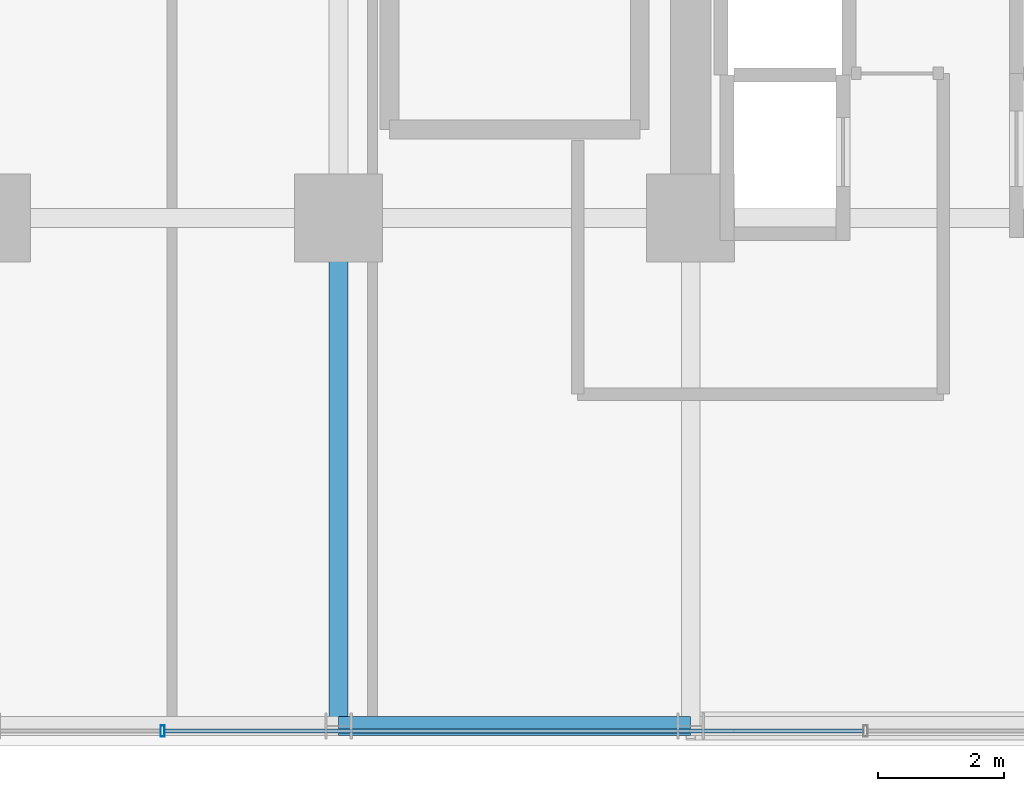
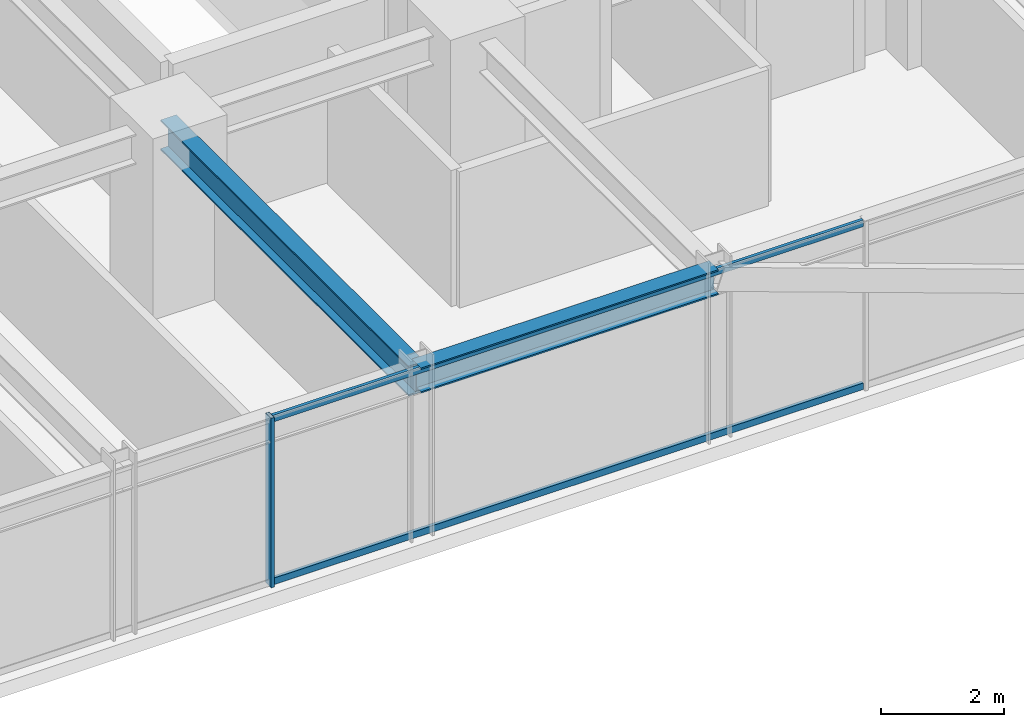
# One storey, part 8 of 35: 3 members, 2 beams, 1 element without a shape of its own.
"""IFC4 building model written with IfcOpenShell, lengths in metres."""

import ifcopenshell
import ifcopenshell.guid

model = None  # the IFC model being written
_history = None  # IfcOwnerHistory: only IFC2X3 demands one
_inside = {}  # id of a spatial element -> (the spatial element, [elements in it])
_under = {}  # id of a project, library or spatial element -> (it, [spatial elements below it])
_declared = {}  # id of a project -> (the project, [libraries it declares])
_typed = {}  # id of a type object -> (the type object, [elements of that type])
_made_of = {}  # id of a material, layer set ... -> (it, [elements and type objects made of it])


def new_model(schema):
    """Start an empty IFC model of exactly this schema.

    Asked for "IFC4X3", IfcOpenShell would pick the latest addendum, in which some entities
    have other attributes; the version numbers below select the first issue.
    IFC2X3 requires an IfcOwnerHistory on every rooted entity: one is made here for all.
    """
    global model, _history
    if schema == "IFC4X3":
        model = ifcopenshell.file(schema_version=(4, 3, 0, 0))
    else:
        model = ifcopenshell.file(schema=schema)
    _inside.clear()
    _under.clear()
    _declared.clear()
    _typed.clear()
    _made_of.clear()
    _history = None
    if model.schema == "IFC2X3":
        org = make("IfcOrganization", Name="unknown")
        user = make(
            "IfcPersonAndOrganization",
            ThePerson=make("IfcPerson", FamilyName="unknown"),
            TheOrganization=org,
        )
        app = make(
            "IfcApplication",
            ApplicationDeveloper=org,
            Version="unknown",
            ApplicationFullName="unknown",
            ApplicationIdentifier="unknown",
        )
        _history = make(
            "IfcOwnerHistory",
            OwningUser=user,
            OwningApplication=app,
            ChangeAction="ADDED",
            CreationDate=0,
        )
    return model


def make(cls, **values):
    """One entity of the class cls with the attributes given. An attribute that is None is left unset."""
    return model.create_entity(
        cls, **{name: value for name, value in values.items() if value is not None}
    )


def rooted(cls, **values):
    """An entity with a GlobalId (a new one), such as an element, a storey or a relation."""
    return make(cls, GlobalId=ifcopenshell.guid.new(), OwnerHistory=_history, **values)


def si_unit(unit_type, name, prefix=None):
    """IfcSIUnit, for example si_unit("LENGTHUNIT", "METRE", prefix="MILLI")."""
    return make("IfcSIUnit", UnitType=unit_type, Prefix=prefix, Name=name)


def assignment(units):
    """IfcUnitAssignment: the units of a project."""
    return None if units is None else make("IfcUnitAssignment", Units=units)


def point(xyz):
    """IfcCartesianPoint."""
    return None if xyz is None else make("IfcCartesianPoint", Coordinates=xyz)


def direction(xyz):
    """IfcDirection."""
    return None if xyz is None else make("IfcDirection", DirectionRatios=xyz)


def frame(location, z_axis=None, x_axis=None):
    """IfcAxis2Placement3D, a coordinate frame: its origin and axes. An axis left out is left unset."""
    return make(
        "IfcAxis2Placement3D",
        Location=point(location),
        Axis=direction(z_axis),
        RefDirection=direction(x_axis),
    )


def frame_2d(location, x_axis=None):
    """IfcAxis2Placement2D, a coordinate frame in the plane: its origin and x axis."""
    return make(
        "IfcAxis2Placement2D", Location=point(location), RefDirection=direction(x_axis)
    )


def origin():
    """The frame at (0, 0, 0) with its axes left unset."""
    return frame((0.0, 0.0, 0.0))


def origin_2d():
    """The frame at (0, 0) in the plane with its x axis left unset."""
    return frame_2d((0.0, 0.0))


def place(relative_to, where):
    """IfcLocalPlacement: puts the frame where relative to a parent placement (None: the world)."""
    return make(
        "IfcLocalPlacement", PlacementRelTo=relative_to, RelativePlacement=where
    )


def context(
    kind, dimensions, precision=None, world=None, true_north=None, identifier=None
):
    """IfcGeometricRepresentationContext, for example the 3D "Model" context."""
    return make(
        "IfcGeometricRepresentationContext",
        ContextIdentifier=identifier,
        ContextType=kind,
        CoordinateSpaceDimension=dimensions,
        Precision=precision,
        WorldCoordinateSystem=world,
        TrueNorth=true_north,
    )


def subcontext(parent, identifier, kind, view, scale=None):
    """IfcGeometricRepresentationSubContext, for example "Body" below "Model"."""
    return make(
        "IfcGeometricRepresentationSubContext",
        ContextIdentifier=identifier,
        ContextType=kind,
        ParentContext=parent,
        TargetScale=scale,
        TargetView=view,
    )


def project(units=None, contexts=None):
    """IfcProject with its units and contexts."""
    return rooted(
        "IfcProject",
        Name="project",
        RepresentationContexts=contexts,
        UnitsInContext=assignment(units),
    )


def spatial(cls, under=None, at=None, **own):
    """A site, building, storey or space (cls), placed at a placement, below another one or the project."""
    s = rooted(cls, ObjectPlacement=at, **own)
    if under is not None:
        _under.setdefault(under.id(), (under, []))[1].append(s)
    return s


def profile(cls, at=None, kind="AREA", **sizes):
    """A parametric profile (cls). Its sizes go by their IFC names, for example OverallWidth=200.0."""
    return make(cls, ProfileType=kind, Position=at, **sizes)


def hollow_rectangle(**sizes):
    """IfcRectangleHollowProfileDef."""
    return profile("IfcRectangleHollowProfileDef", **sizes)


def i_section(**sizes):
    """IfcIShapeProfileDef."""
    return profile("IfcIShapeProfileDef", **sizes)


def extrude(swept, where, along, depth):
    """IfcExtrudedAreaSolid: the profile swept, set in the frame where, extruded along a direction by depth."""
    return make(
        "IfcExtrudedAreaSolid",
        SweptArea=swept,
        Position=where,
        ExtrudedDirection=direction(along),
        Depth=depth,
    )


def shape(context_of_items, identifier, shape_type, items):
    """IfcShapeRepresentation: the items that make up one representation, for example the "Body"."""
    return make(
        "IfcShapeRepresentation",
        ContextOfItems=context_of_items,
        RepresentationIdentifier=identifier,
        RepresentationType=shape_type,
        Items=items,
    )


def source(mapping_origin, context_of_items, identifier, shape_type, items):
    """IfcRepresentationMap: a shape defined once, which mapped items show again and again."""
    return make(
        "IfcRepresentationMap",
        MappingOrigin=mapping_origin,
        MappedRepresentation=shape(context_of_items, identifier, shape_type, items),
    )


def transform(
    local_origin,
    x_axis=None,
    y_axis=None,
    z_axis=None,
    scale=None,
    scale2=None,
    scale3=None,
    uniform=True,
):
    """IfcCartesianTransformationOperator3D, or its non-uniform kind. x_axis, y_axis, z_axis: its Axis1, 2, 3."""
    if uniform:
        return make(
            "IfcCartesianTransformationOperator3D",
            Axis1=direction(x_axis),
            Axis2=direction(y_axis),
            LocalOrigin=point(local_origin),
            Scale=scale,
            Axis3=direction(z_axis),
        )
    return make(
        "IfcCartesianTransformationOperator3DnonUniform",
        Axis1=direction(x_axis),
        Axis2=direction(y_axis),
        LocalOrigin=point(local_origin),
        Scale=scale,
        Axis3=direction(z_axis),
        Scale2=scale2,
        Scale3=scale3,
    )


def mapped(mapping_source, mapping_target):
    """IfcMappedItem: shows the shape of a source again, moved by a transform."""
    return make(
        "IfcMappedItem", MappingSource=mapping_source, MappingTarget=mapping_target
    )


def material(Name=None, Category=None):
    """IfcMaterial."""
    return make("IfcMaterial", Name=Name, Category=Category)


def material_profile(
    of_material, cross_section, Name=None, Category=None, Priority=None
):
    """IfcMaterialProfile: a cross section and its material."""
    return make(
        "IfcMaterialProfile",
        Name=Name,
        Material=of_material,
        Profile=cross_section,
        Priority=Priority,
        Category=Category,
    )


def profile_set(profiles, Name=None, composite=None):
    """IfcMaterialProfileSet."""
    return make(
        "IfcMaterialProfileSet",
        Name=Name,
        MaterialProfiles=profiles,
        CompositeProfile=composite,
    )


def made_of(thing, what):
    """Note that an element or type object is made of a material, layer set ...; save() writes the relation."""
    if what is not None:
        _made_of.setdefault(what.id(), (what, []))[1].append(thing)
    return thing


def type_object(cls, material=None, **own):
    """A type object (cls), such as IfcWallType, which elements share."""
    return made_of(rooted(cls, **own), material)


def element(
    cls,
    number,
    at=None,
    inside=None,
    cuts=None,
    type_object=None,
    material=None,
    context=None,
    identifier="Body",
    shape_type=None,
    held_by="IfcProductDefinitionShape",
    body=None,
    shapes=None,
    **own,
):
    """One element of the class cls, such as IfcWall. Its Tag is "e" and its number.

    at: its placement. inside: the storey or other place that contains it. cuts: it is an
    opening in that element (IfcRelVoidsElement). A single representation is given by context,
    identifier, shape_type and body (its items); several are given by shapes. held_by: the class
    of the entity that holds the representations. save() writes the other relations.
    """
    e = rooted(cls, Tag="e%d" % number, ObjectPlacement=at, **own)
    if body is not None:
        shapes = [shape(context, identifier, shape_type, body)]
    if shapes is not None:
        e.Representation = make(held_by, Representations=shapes)
    if inside is not None:
        _inside.setdefault(inside.id(), (inside, []))[1].append(e)
    if cuts is not None:
        rooted(
            "IfcRelVoidsElement", RelatingBuildingElement=cuts, RelatedOpeningElement=e
        )
    if type_object is not None:
        _typed.setdefault(type_object.id(), (type_object, []))[1].append(e)
    return made_of(e, material)


def aggregate(whole, parts):
    """IfcRelAggregates: a whole, such as a stair, and the parts it consists of."""
    return rooted("IfcRelAggregates", RelatingObject=whole, RelatedObjects=parts)


def save(model, path):
    """Write the relations noted so far, then the file.

    IfcRelAggregates (storeys below a building ...), IfcRelContainedInSpatialStructure (elements
    in a storey), IfcRelDefinesByType, IfcRelAssociatesMaterial and IfcRelDeclares: one each for
    every whole, place, type object, material and project.
    """
    for whole, parts in _under.values():
        aggregate(whole, parts)
    for where, things in _inside.values():
        rooted(
            "IfcRelContainedInSpatialStructure",
            RelatedElements=things,
            RelatingStructure=where,
        )
    for kind, things in _typed.values():
        rooted("IfcRelDefinesByType", RelatedObjects=things, RelatingType=kind)
    for what, things in _made_of.values():
        rooted("IfcRelAssociatesMaterial", RelatedObjects=things, RelatingMaterial=what)
    for by, libraries in _declared.values():
        rooted("IfcRelDeclares", RelatingContext=by, RelatedDefinitions=libraries)
    model.write(path)


model = new_model("IFC4")

# Units and contexts
model_context = context("Model", 3, precision=1e-05, world=origin(), true_north=direction((0.0, 1.0)))
body_context = subcontext(model_context, "Body", "Model", "MODEL_VIEW")
ifc_project = project(units=[si_unit("LENGTHUNIT", "METRE"), si_unit("AREAUNIT", "SQUARE_METRE"), si_unit("VOLUMEUNIT", "CUBIC_METRE"), si_unit("PLANEANGLEUNIT", "RADIAN"), si_unit("MASSUNIT", "GRAM", prefix="KILO")], contexts=[model_context])

# Site, building, storey
site_placement = place(None, origin())
site = spatial("IfcSite", under=ifc_project, at=site_placement, CompositionType="ELEMENT")
building_placement = place(site_placement, origin())
building = spatial("IfcBuilding", under=site, at=building_placement, Name="Nahalor Promenade Grand Hotel", CompositionType="ELEMENT")
storey_placement = place(building_placement, frame((0.0, 0.0, 39.699951171875)))
storey = spatial("IfcBuildingStorey", under=building, at=storey_placement, Name="L08", CompositionType="ELEMENT", Elevation=39.699951171875)

# Beams
ifc_material_1 = material(Name="Steel S355JR", Category="steel")
ifc_material_profile_1 = material_profile(ifc_material_1, i_section(OverallWidth=0.3, OverallDepth=0.5, WebThickness=0.0145, FlangeThickness=0.028, at=origin_2d()), Name="HEB 500")
ifc_profile_set_1 = profile_set([ifc_material_profile_1], Name="Steel S355JR")
beam_type_1 = type_object("IfcBeamType", Name="Beam-Spandrel-HEB500", PredefinedType="SPANDREL", material=ifc_profile_set_1)
shared_shape_1 = source(origin(), body_context, "Body", "SweptSolid", [
    extrude(i_section(OverallWidth=0.3, OverallDepth=0.5, WebThickness=0.0145, FlangeThickness=0.028, at=origin_2d()), origin(), (0.0, 0.0, 1.0), 5.599853515625),
])
beam_1_placement = place(storey_placement, frame((2.800048828125, -25.080078125, 3.1201171875), z_axis=(1.0, 0.0, 0.0), x_axis=(0.0, 1.0, 0.0)))
element("IfcBeam", 1, at=beam_1_placement, inside=storey, type_object=beam_type_1, Name="BM-L08-SP-S-3", PredefinedType="SPANDREL", context=body_context, shape_type="MappedRepresentation", body=[
    mapped(shared_shape_1, transform((0.0, 0.0, 0.0), scale=1.0)),
])
ifc_material_profile_2 = material_profile(ifc_material_1, i_section(OverallWidth=0.3, OverallDepth=0.6, WebThickness=0.0155, FlangeThickness=0.03, at=origin_2d()), Name="HEB 600")
ifc_profile_set_2 = profile_set([ifc_material_profile_2], Name="Steel S355JR")
beam_type_2 = type_object("IfcBeamType", Name="Beam-Girder-HEB600", PredefinedType="BEAM", material=ifc_profile_set_2)
shared_shape_2 = source(origin(), body_context, "Body", "SweptSolid", [
    extrude(i_section(OverallWidth=0.3, OverallDepth=0.6, WebThickness=0.0155, FlangeThickness=0.03, at=origin_2d()), origin(), (0.0, 0.0, 1.0), 8.080078125),
])
beam_2_placement = place(storey_placement, frame((2.800048828125, -25.080078125, 3.070068359375), z_axis=(0.0, 1.0, 0.0), x_axis=(-1.0, 0.0, 0.0)))
element("IfcBeam", 2, at=beam_2_placement, inside=storey, type_object=beam_type_2, Name="BM-L08-GY-3-0", PredefinedType="BEAM", context=body_context, shape_type="MappedRepresentation", body=[
    mapped(shared_shape_2, transform((0.0, 0.0, 0.0), scale=1.0)),
])

# Curtain wall, members
ifc_material_2 = material(Name="Anodised Bronze Aluminium EN AW-6063 T6", Category="aluminium")
curtain_wall_type = type_object("IfcCurtainWallType", Name="CW2 Typical Hotel Flush Bronze Unitised Curtain Wall", PredefinedType="USERDEFINED", material=ifc_material_2)
curtain_wall_placement = place(storey_placement, origin())
curtain_wall = element("IfcCurtainWall", 3, at=curtain_wall_placement, inside=storey, type_object=curtain_wall_type, Name="L08 Curtain Wall CW-L08-S-1", ObjectType="UNITISED_CURTAIN_WALL", PredefinedType="USERDEFINED")
ifc_material_profile_3 = material_profile(ifc_material_2, hollow_rectangle(XDim=0.065, YDim=0.18, WallThickness=0.004, at=origin_2d()), Name="CWM 65x180x4")
ifc_profile_set_3 = profile_set([ifc_material_profile_3], Name="Anodised Bronze Aluminium EN AW-6063 T6")
member_type_1 = type_object("IfcMemberType", Name="CWM2 Typical Bronze Mullion 65x180", PredefinedType="MULLION", material=ifc_profile_set_3)
shared_shape_3 = source(origin(), body_context, "Body", "SweptSolid", [
    extrude(hollow_rectangle(XDim=0.065, YDim=0.18, WallThickness=0.004, at=origin_2d()), origin(), (0.0, 0.0, 1.0), 3.3701171875),
])
member_1_placement = place(storey_placement, frame((0.0, -25.159912109375, 0.0), z_axis=(0.0, 0.0, 1.0), x_axis=(1.0, 0.0, 0.0)))
member_1 = element("IfcMember", 4, at=member_1_placement, type_object=member_type_1, Name="CW-L08-S-1 Mullion 2", PredefinedType="MULLION", context=body_context, shape_type="MappedRepresentation", body=[
    mapped(shared_shape_3, transform((0.0, 0.0, 0.0), scale=1.0)),
])
ifc_material_profile_4 = material_profile(ifc_material_2, hollow_rectangle(XDim=0.065, YDim=0.13, WallThickness=0.004, at=origin_2d()), Name="CWT 65x130x4")
ifc_profile_set_4 = profile_set([ifc_material_profile_4], Name="Anodised Bronze Aluminium EN AW-6063 T6")
member_type_2 = type_object("IfcMemberType", Name="CWT2 Typical Bronze Transom 65x130", PredefinedType="USERDEFINED", material=ifc_profile_set_4)
shared_shape_4 = source(origin(), body_context, "Body", "SweptSolid", [
    extrude(hollow_rectangle(XDim=0.065, YDim=0.13, WallThickness=0.004, at=origin_2d()), origin(), (0.0, 0.0, 1.0), 11.114990234375),
])
member_2_placement = place(storey_placement, frame((0.032470703125, -25.159912109375, 0.06494140625), z_axis=(1.0, 0.0, 0.0), x_axis=(0.0, 1.0, 0.0)))
member_2 = element("IfcMember", 5, at=member_2_placement, type_object=member_type_2, Name="CW-L08-S-1 Transom 2-0", ObjectType="TRANSOM", PredefinedType="USERDEFINED", context=body_context, shape_type="MappedRepresentation", body=[
    mapped(shared_shape_4, transform((0.0, 0.0, 0.0), scale=1.0)),
])
member_3_placement = place(storey_placement, frame((0.032470703125, -25.159912109375, 3.304931640625), z_axis=(1.0, 0.0, 0.0), x_axis=(0.0, 1.0, 0.0)))
member_3 = element("IfcMember", 6, at=member_3_placement, type_object=member_type_2, Name="CW-L08-S-1 Transom 2-1", ObjectType="TRANSOM", PredefinedType="USERDEFINED", context=body_context, shape_type="MappedRepresentation", body=[
    mapped(shared_shape_4, transform((0.0, 0.0, 0.0), scale=1.0)),
])
aggregate(curtain_wall, [member_1, member_2, member_3])

save(model, "model.ifc")
